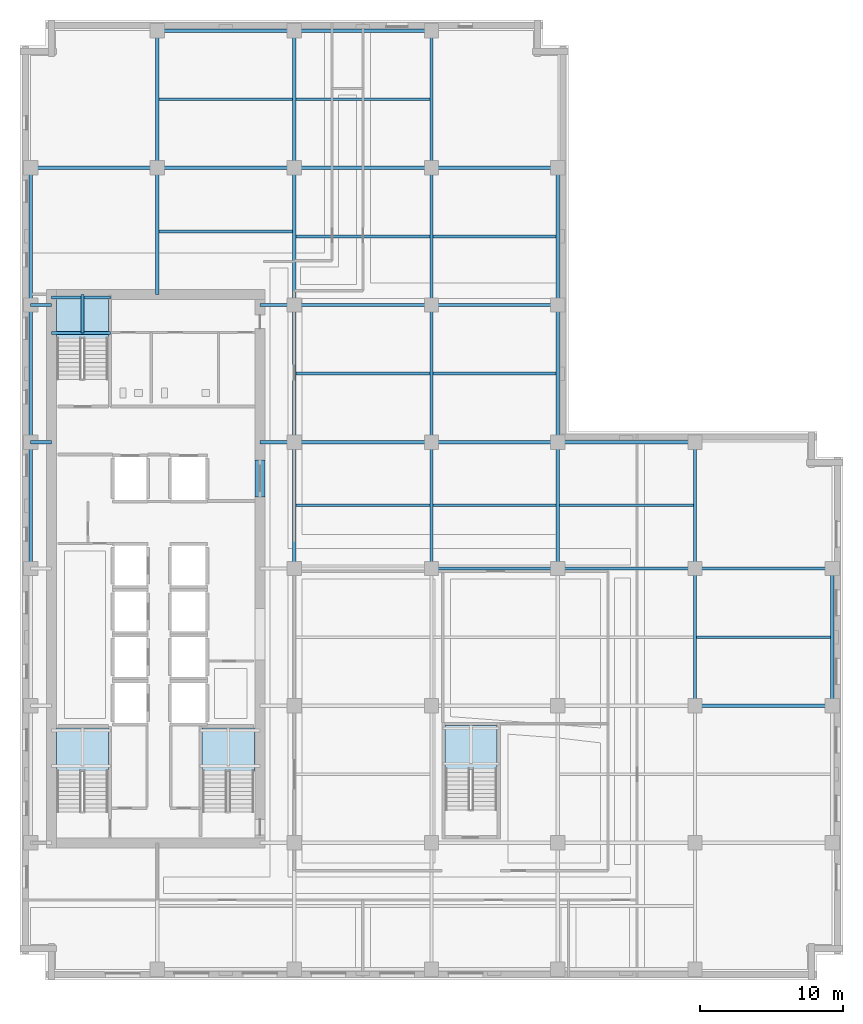
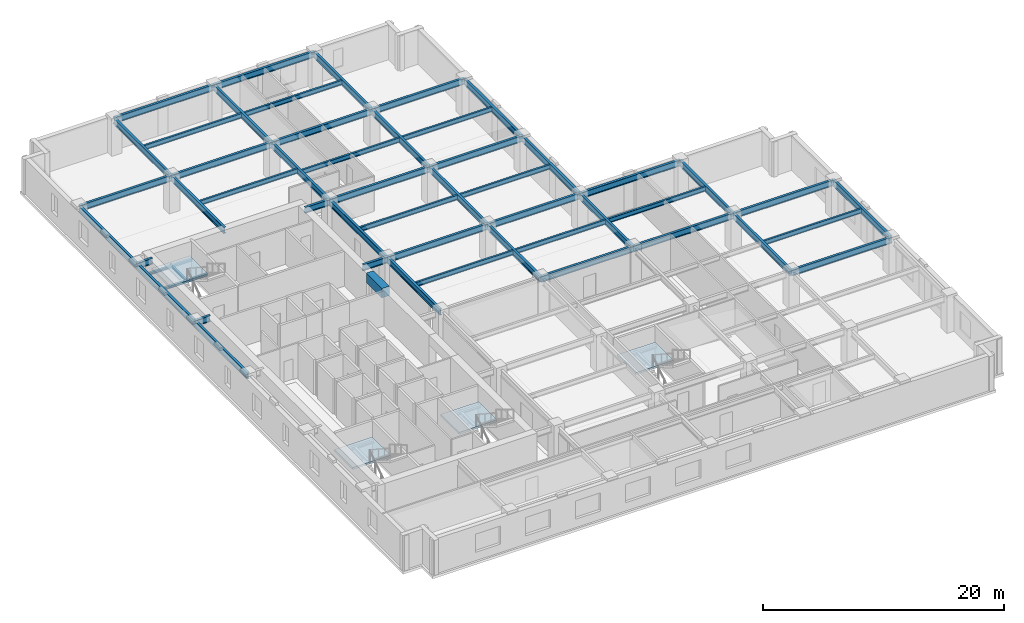
# One storey, part 2 of 13: 53 beams, 4 slabs, 4 elements without a shape of their own.
"""IFC4 building model written with IfcOpenShell, lengths in metres."""

from ifc_helpers import new_model, si_unit, direction, frame, origin, origin_2d, place, context, subcontext, project, spatial, polyline, rectangle, i_section, outline, extrude, material, layer, layer_set, material_profile, profile_set, type_object, element, aggregate, save


model = new_model("IFC4")

# Units and contexts
model_context = context("Model", 3, precision=1e-05, world=origin(), true_north=direction((0.0, 1.0)))
body_context = subcontext(model_context, "Body", "Model", "MODEL_VIEW")
ifc_project = project(units=[si_unit("LENGTHUNIT", "METRE"), si_unit("AREAUNIT", "SQUARE_METRE"), si_unit("VOLUMEUNIT", "CUBIC_METRE"), si_unit("PLANEANGLEUNIT", "RADIAN"), si_unit("MASSUNIT", "GRAM", prefix="KILO")], contexts=[model_context])

# Site, building, storey
site_placement = place(None, origin())
site = spatial("IfcSite", under=ifc_project, at=site_placement, CompositionType="ELEMENT")
building_placement = place(site_placement, origin())
building = spatial("IfcBuilding", under=site, at=building_placement, Name="Norrvale University Quadrangle", CompositionType="ELEMENT")
storey_placement = place(building_placement, frame((0.0, 0.0, 131.800048828125)))
storey = spatial("IfcBuildingStorey", under=building, at=storey_placement, Name="L33", CompositionType="ELEMENT", Elevation=131.800048828125)

# Beams
ifc_material_1 = material(Name="Concrete C80/95", Category="concrete")
ifc_material_profile_1 = material_profile(ifc_material_1, rectangle(XDim=0.699951171875, YDim=0.949951171875, at=origin_2d()), Name="Concrete C80/95")
ifc_profile_set_1 = profile_set([ifc_material_profile_1], Name="Concrete C80/95")
beam_type_1 = type_object("IfcBeamType", Name="Beam Core Link 700x950", PredefinedType="LINTEL", material=ifc_profile_set_1)
beam_1_placement = place(storey_placement, frame((16.800048828125, 33.800048828125, 3.06494140625), z_axis=(0.0, 1.0, 0.0), x_axis=(-1.0, 0.0, 0.0)))
element("IfcBeam", 1, at=beam_1_placement, inside=storey, type_object=beam_type_1, Name="Core Coupling Lintel Beam L33-2", PredefinedType="LINTEL", context=body_context, shape_type="SweptSolid", body=[
    extrude(rectangle(XDim=0.699951171875, YDim=0.949951171875, at=origin_2d()), origin(), (0.0, 0.0, 1.0), 2.599853515625),
])
ifc_material_2 = material(Name="Steel 350W", Category="steel")
ifc_material_profile_2 = material_profile(ifc_material_2, i_section(OverallWidth=0.18994140625, OverallDepth=0.45703125, WebThickness=0.009033203125, FlangeThickness=0.014404296875, FilletRadius=0.012939453125, at=origin_2d()), Name="Steel 350W")
ifc_profile_set_2 = profile_set([ifc_material_profile_2], Name="Steel 350W")
beam_type_2 = type_object("IfcBeamType", Name="Beam Floor W460x74", PredefinedType="JOIST", material=ifc_profile_set_2)
beam_2_placement = place(storey_placement, frame((9.715087890625, 61.64990234375, 3.3115234375), z_axis=(1.0, 0.0, 0.0), x_axis=(0.0, 1.0, 0.0)))
element("IfcBeam", 2, at=beam_2_placement, inside=storey, type_object=beam_type_2, Name="Beam Floor W460x74 BM-L33-J070", PredefinedType="JOIST", context=body_context, shape_type="SweptSolid", body=[
    extrude(i_section(OverallWidth=0.18994140625, OverallDepth=0.45703125, WebThickness=0.009033203125, FlangeThickness=0.014404296875, FilletRadius=0.012939453125, at=origin_2d()), origin(), (0.0, 0.0, 1.0), 9.369873046875),
])
for number, where, z_axis, x_axis, name in (
    (3, (19.31494140625, 33.22509765625, 3.3115234375), (1.0, 0.0, 0.0), (0.0, 1.0, 0.0), "Beam Floor W460x74 BM-L33-J074"),
    (4, (19.31494140625, 42.449951171875, 3.3115234375), (1.0, 0.0, 0.0), (0.0, 1.0, 0.0), "Beam Floor W460x74 BM-L33-J075"),
    (5, (19.31494140625, 52.050048828125, 3.3115234375), (1.0, 0.0, 0.0), (0.0, 1.0, 0.0), "Beam Floor W460x74 BM-L33-J076"),
    (6, (19.31494140625, 61.64990234375, 3.3115234375), (1.0, 0.0, 0.0), (0.0, 1.0, 0.0), "Beam Floor W460x74 BM-L33-J077"),
):
    element("IfcBeam", number, at=place(storey_placement, frame(where, z_axis=z_axis, x_axis=x_axis)), inside=storey, type_object=beam_type_2, Name=name, PredefinedType="JOIST", context=body_context, shape_type="SweptSolid", body=[
        extrude(i_section(OverallWidth=0.18994140625, OverallDepth=0.45703125, WebThickness=0.009033203125, FlangeThickness=0.014404296875, FilletRadius=0.012939453125, at=origin_2d()), origin(), (0.0, 0.0, 1.0), 9.3701171875),
    ])
for number, where, z_axis, x_axis, name in (
    (7, (28.9150390625, 33.22509765625, 3.3115234375), (1.0, 0.0, 0.0), (0.0, 1.0, 0.0), "Beam Floor W460x74 BM-L33-J080"),
    (8, (28.9150390625, 42.449951171875, 3.3115234375), (1.0, 0.0, 0.0), (0.0, 1.0, 0.0), "Beam Floor W460x74 BM-L33-J081"),
    (9, (28.9150390625, 52.050048828125, 3.3115234375), (1.0, 0.0, 0.0), (0.0, 1.0, 0.0), "Beam Floor W460x74 BM-L33-J082"),
):
    element("IfcBeam", number, at=place(storey_placement, frame(where, z_axis=z_axis, x_axis=x_axis)), inside=storey, type_object=beam_type_2, Name=name, PredefinedType="JOIST", context=body_context, shape_type="SweptSolid", body=[
        extrude(i_section(OverallWidth=0.18994140625, OverallDepth=0.45703125, WebThickness=0.009033203125, FlangeThickness=0.014404296875, FilletRadius=0.012939453125, at=origin_2d()), origin(), (0.0, 0.0, 1.0), 8.619873046875),
    ])
for number, where, z_axis, x_axis, name in (
    (10, (37.764892578125, 33.22509765625, 3.3115234375), (1.0, 0.0, 0.0), (0.0, 1.0, 0.0), "Beam Floor W460x74 BM-L33-J086"),
    (11, (47.364990234375, 24.0, 3.3115234375), (1.0, 0.0, 0.0), (0.0, 1.0, 0.0), "Beam Floor W460x74 BM-L33-J088"),
):
    element("IfcBeam", number, at=place(storey_placement, frame(where, z_axis=z_axis, x_axis=x_axis)), inside=storey, type_object=beam_type_2, Name=name, PredefinedType="JOIST", context=body_context, shape_type="SweptSolid", body=[
        extrude(i_section(OverallWidth=0.18994140625, OverallDepth=0.45703125, WebThickness=0.009033203125, FlangeThickness=0.014404296875, FilletRadius=0.012939453125, at=origin_2d()), origin(), (0.0, 0.0, 1.0), 9.3701171875),
    ])
beam_3_placement = place(storey_placement, frame((9.715087890625, 52.39990234375, 3.3115234375), z_axis=(1.0, 0.0, 0.0), x_axis=(0.0, 1.0, 0.0)))
element("IfcBeam", 12, at=beam_3_placement, inside=storey, type_object=beam_type_2, Name="Beam Floor W460x74 BM-L33-JCN092", PredefinedType="JOIST", context=body_context, shape_type="SweptSolid", body=[
    extrude(i_section(OverallWidth=0.18994140625, OverallDepth=0.45703125, WebThickness=0.009033203125, FlangeThickness=0.014404296875, FilletRadius=0.012939453125, at=origin_2d()), origin(), (0.0, 0.0, 1.0), 9.369873046875),
])
ifc_material_profile_3 = material_profile(ifc_material_2, i_section(OverallWidth=0.22998046875, OverallDepth=0.616943359375, WebThickness=0.01318359375, FlangeThickness=0.022216796875, FilletRadius=0.01611328125, at=origin_2d()), Name="Steel 350W")
ifc_profile_set_3 = profile_set([ifc_material_profile_3], Name="Steel 350W")
beam_type_3 = type_object("IfcBeamType", Name="Beam Floor W610x140", PredefinedType="BEAM", material=ifc_profile_set_3)
beam_4_placement = place(storey_placement, frame((47.25, 19.199951171875, 3.2314453125), z_axis=(1.0, 0.0, 0.0), x_axis=(0.0, 1.0, 0.0)))
element("IfcBeam", 13, at=beam_4_placement, inside=storey, type_object=beam_type_3, Name="Beam Floor W610x140 BM-L33-GX012", PredefinedType="BEAM", context=body_context, shape_type="SweptSolid", body=[
    extrude(i_section(OverallWidth=0.22998046875, OverallDepth=0.616943359375, WebThickness=0.01318359375, FlangeThickness=0.022216796875, FilletRadius=0.01611328125, at=origin_2d()), origin(), (0.0, 0.0, 1.0), 9.60009765625),
])
beam_5_placement = place(storey_placement, frame((28.800048828125, 28.800048828125, 3.2314453125), z_axis=(1.0, 0.0, 0.0), x_axis=(0.0, 1.0, 0.0)))
element("IfcBeam", 14, at=beam_5_placement, inside=storey, type_object=beam_type_3, Name="Beam Floor W610x140 BM-L33-GX014", PredefinedType="BEAM", context=body_context, shape_type="SweptSolid", body=[
    extrude(i_section(OverallWidth=0.22998046875, OverallDepth=0.616943359375, WebThickness=0.01318359375, FlangeThickness=0.022216796875, FilletRadius=0.01611328125, at=origin_2d()), origin(), (0.0, 0.0, 1.0), 8.849853515625),
])
for number, where, z_axis, x_axis, name in (
    (15, (37.64990234375, 28.800048828125, 3.2314453125), (1.0, 0.0, 0.0), (0.0, 1.0, 0.0), "Beam Floor W610x140 BM-L33-GX015"),
    (16, (47.25, 28.800048828125, 3.2314453125), (1.0, 0.0, 0.0), (0.0, 1.0, 0.0), "Beam Floor W610x140 BM-L33-GX016"),
    (17, (19.199951171875, 37.64990234375, 3.2314453125), (1.0, 0.0, 0.0), (0.0, 1.0, 0.0), "Beam Floor W610x140 BM-L33-GX017"),
):
    element("IfcBeam", number, at=place(storey_placement, frame(where, z_axis=z_axis, x_axis=x_axis)), inside=storey, type_object=beam_type_3, Name=name, PredefinedType="BEAM", context=body_context, shape_type="SweptSolid", body=[
        extrude(i_section(OverallWidth=0.22998046875, OverallDepth=0.616943359375, WebThickness=0.01318359375, FlangeThickness=0.022216796875, FilletRadius=0.01611328125, at=origin_2d()), origin(), (0.0, 0.0, 1.0), 9.60009765625),
    ])
beam_6_placement = place(storey_placement, frame((28.800048828125, 37.64990234375, 3.2314453125), z_axis=(1.0, 0.0, 0.0), x_axis=(0.0, 1.0, 0.0)))
element("IfcBeam", 18, at=beam_6_placement, inside=storey, type_object=beam_type_3, Name="Beam Floor W610x140 BM-L33-GX018", PredefinedType="BEAM", context=body_context, shape_type="SweptSolid", body=[
    extrude(i_section(OverallWidth=0.22998046875, OverallDepth=0.616943359375, WebThickness=0.01318359375, FlangeThickness=0.022216796875, FilletRadius=0.01611328125, at=origin_2d()), origin(), (0.0, 0.0, 1.0), 8.849853515625),
])
for number, where, z_axis, x_axis, name in (
    (19, (37.64990234375, 37.64990234375, 3.2314453125), (1.0, 0.0, 0.0), (0.0, 1.0, 0.0), "Beam Floor W610x140 BM-L33-GX019"),
    (20, (19.199951171875, 47.25, 3.2314453125), (1.0, 0.0, 0.0), (0.0, 1.0, 0.0), "Beam Floor W610x140 BM-L33-GX020"),
):
    element("IfcBeam", number, at=place(storey_placement, frame(where, z_axis=z_axis, x_axis=x_axis)), inside=storey, type_object=beam_type_3, Name=name, PredefinedType="BEAM", context=body_context, shape_type="SweptSolid", body=[
        extrude(i_section(OverallWidth=0.22998046875, OverallDepth=0.616943359375, WebThickness=0.01318359375, FlangeThickness=0.022216796875, FilletRadius=0.01611328125, at=origin_2d()), origin(), (0.0, 0.0, 1.0), 9.60009765625),
    ])
beam_7_placement = place(storey_placement, frame((28.800048828125, 47.25, 3.2314453125), z_axis=(1.0, 0.0, 0.0), x_axis=(0.0, 1.0, 0.0)))
element("IfcBeam", 21, at=beam_7_placement, inside=storey, type_object=beam_type_3, Name="Beam Floor W610x140 BM-L33-GX021", PredefinedType="BEAM", context=body_context, shape_type="SweptSolid", body=[
    extrude(i_section(OverallWidth=0.22998046875, OverallDepth=0.616943359375, WebThickness=0.01318359375, FlangeThickness=0.022216796875, FilletRadius=0.01611328125, at=origin_2d()), origin(), (0.0, 0.0, 1.0), 8.849853515625),
])
beam_8_placement = place(storey_placement, frame((0.75, 56.85009765625, 3.2314453125), z_axis=(1.0, 0.0, 0.0), x_axis=(0.0, 1.0, 0.0)))
element("IfcBeam", 22, at=beam_8_placement, inside=storey, type_object=beam_type_3, Name="Beam Floor W610x140 BM-L33-GX022", PredefinedType="BEAM", context=body_context, shape_type="SweptSolid", body=[
    extrude(i_section(OverallWidth=0.22998046875, OverallDepth=0.616943359375, WebThickness=0.01318359375, FlangeThickness=0.022216796875, FilletRadius=0.01611328125, at=origin_2d()), origin(), (0.0, 0.0, 1.0), 8.85009765625),
])
beam_9_placement = place(storey_placement, frame((9.60009765625, 56.85009765625, 3.2314453125), z_axis=(1.0, 0.0, 0.0), x_axis=(0.0, 1.0, 0.0)))
element("IfcBeam", 23, at=beam_9_placement, inside=storey, type_object=beam_type_3, Name="Beam Floor W610x140 BM-L33-GX023", PredefinedType="BEAM", context=body_context, shape_type="SweptSolid", body=[
    extrude(i_section(OverallWidth=0.22998046875, OverallDepth=0.616943359375, WebThickness=0.01318359375, FlangeThickness=0.022216796875, FilletRadius=0.01611328125, at=origin_2d()), origin(), (0.0, 0.0, 1.0), 9.599853515625),
])
beam_10_placement = place(storey_placement, frame((19.199951171875, 56.85009765625, 3.2314453125), z_axis=(1.0, 0.0, 0.0), x_axis=(0.0, 1.0, 0.0)))
element("IfcBeam", 24, at=beam_10_placement, inside=storey, type_object=beam_type_3, Name="Beam Floor W610x140 BM-L33-GX024", PredefinedType="BEAM", context=body_context, shape_type="SweptSolid", body=[
    extrude(i_section(OverallWidth=0.22998046875, OverallDepth=0.616943359375, WebThickness=0.01318359375, FlangeThickness=0.022216796875, FilletRadius=0.01611328125, at=origin_2d()), origin(), (0.0, 0.0, 1.0), 9.60009765625),
])
beam_11_placement = place(storey_placement, frame((28.800048828125, 56.85009765625, 3.2314453125), z_axis=(1.0, 0.0, 0.0), x_axis=(0.0, 1.0, 0.0)))
element("IfcBeam", 25, at=beam_11_placement, inside=storey, type_object=beam_type_3, Name="Beam Floor W610x140 BM-L33-GX025", PredefinedType="BEAM", context=body_context, shape_type="SweptSolid", body=[
    extrude(i_section(OverallWidth=0.22998046875, OverallDepth=0.616943359375, WebThickness=0.01318359375, FlangeThickness=0.022216796875, FilletRadius=0.01611328125, at=origin_2d()), origin(), (0.0, 0.0, 1.0), 8.849853515625),
])
beam_12_placement = place(storey_placement, frame((9.60009765625, 66.449951171875, 3.2314453125), z_axis=(1.0, 0.0, 0.0), x_axis=(0.0, 1.0, 0.0)))
element("IfcBeam", 26, at=beam_12_placement, inside=storey, type_object=beam_type_3, Name="Beam Floor W610x140 BM-L33-GX026", PredefinedType="BEAM", context=body_context, shape_type="SweptSolid", body=[
    extrude(i_section(OverallWidth=0.22998046875, OverallDepth=0.616943359375, WebThickness=0.01318359375, FlangeThickness=0.022216796875, FilletRadius=0.01611328125, at=origin_2d()), origin(), (0.0, 0.0, 1.0), 9.599853515625),
])
beam_13_placement = place(storey_placement, frame((19.199951171875, 66.449951171875, 3.2314453125), z_axis=(1.0, 0.0, 0.0), x_axis=(0.0, 1.0, 0.0)))
element("IfcBeam", 27, at=beam_13_placement, inside=storey, type_object=beam_type_3, Name="Beam Floor W610x140 BM-L33-GX027", PredefinedType="BEAM", context=body_context, shape_type="SweptSolid", body=[
    extrude(i_section(OverallWidth=0.22998046875, OverallDepth=0.616943359375, WebThickness=0.01318359375, FlangeThickness=0.022216796875, FilletRadius=0.01611328125, at=origin_2d()), origin(), (0.0, 0.0, 1.0), 9.60009765625),
])
beam_14_placement = place(storey_placement, frame((0.75, 28.800048828125, 3.2314453125), z_axis=(0.0, 1.0, 0.0), x_axis=(-1.0, 0.0, 0.0)))
element("IfcBeam", 28, at=beam_14_placement, inside=storey, type_object=beam_type_3, Name="Beam Floor W610x140 BM-L33-GY030", PredefinedType="BEAM", context=body_context, shape_type="SweptSolid", body=[
    extrude(i_section(OverallWidth=0.22998046875, OverallDepth=0.616943359375, WebThickness=0.01318359375, FlangeThickness=0.022216796875, FilletRadius=0.01611328125, at=origin_2d()), origin(), (0.0, 0.0, 1.0), 8.849853515625),
])
for number, where, z_axis, x_axis, name in (
    (29, (0.75, 37.64990234375, 3.2314453125), (0.0, 1.0, 0.0), (-1.0, 0.0, 0.0), "Beam Floor W610x140 BM-L33-GY031"),
    (30, (0.75, 47.25, 3.2314453125), (0.0, 1.0, 0.0), (-1.0, 0.0, 0.0), "Beam Floor W610x140 BM-L33-GY032"),
):
    element("IfcBeam", number, at=place(storey_placement, frame(where, z_axis=z_axis, x_axis=x_axis)), inside=storey, type_object=beam_type_3, Name=name, PredefinedType="BEAM", context=body_context, shape_type="SweptSolid", body=[
        extrude(i_section(OverallWidth=0.22998046875, OverallDepth=0.616943359375, WebThickness=0.01318359375, FlangeThickness=0.022216796875, FilletRadius=0.01611328125, at=origin_2d()), origin(), (0.0, 0.0, 1.0), 9.60009765625),
    ])
beam_15_placement = place(storey_placement, frame((9.60009765625, 56.85009765625, 3.2314453125), z_axis=(0.0, 1.0, 0.0), x_axis=(-1.0, 0.0, 0.0)))
element("IfcBeam", 31, at=beam_15_placement, inside=storey, type_object=beam_type_3, Name="Beam Floor W610x140 BM-L33-GY033", PredefinedType="BEAM", context=body_context, shape_type="SweptSolid", body=[
    extrude(i_section(OverallWidth=0.22998046875, OverallDepth=0.616943359375, WebThickness=0.01318359375, FlangeThickness=0.022216796875, FilletRadius=0.01611328125, at=origin_2d()), origin(), (0.0, 0.0, 1.0), 9.599853515625),
])
beam_16_placement = place(storey_placement, frame((19.199951171875, 28.800048828125, 3.2314453125), z_axis=(0.0, 1.0, 0.0), x_axis=(-1.0, 0.0, 0.0)))
element("IfcBeam", 32, at=beam_16_placement, inside=storey, type_object=beam_type_3, Name="Beam Floor W610x140 BM-L33-GY037", PredefinedType="BEAM", context=body_context, shape_type="SweptSolid", body=[
    extrude(i_section(OverallWidth=0.22998046875, OverallDepth=0.616943359375, WebThickness=0.01318359375, FlangeThickness=0.022216796875, FilletRadius=0.01611328125, at=origin_2d()), origin(), (0.0, 0.0, 1.0), 8.849853515625),
])
for number, where, z_axis, x_axis, name in (
    (33, (19.199951171875, 37.64990234375, 3.2314453125), (0.0, 1.0, 0.0), (-1.0, 0.0, 0.0), "Beam Floor W610x140 BM-L33-GY038"),
    (34, (19.199951171875, 47.25, 3.2314453125), (0.0, 1.0, 0.0), (-1.0, 0.0, 0.0), "Beam Floor W610x140 BM-L33-GY039"),
):
    element("IfcBeam", number, at=place(storey_placement, frame(where, z_axis=z_axis, x_axis=x_axis)), inside=storey, type_object=beam_type_3, Name=name, PredefinedType="BEAM", context=body_context, shape_type="SweptSolid", body=[
        extrude(i_section(OverallWidth=0.22998046875, OverallDepth=0.616943359375, WebThickness=0.01318359375, FlangeThickness=0.022216796875, FilletRadius=0.01611328125, at=origin_2d()), origin(), (0.0, 0.0, 1.0), 9.60009765625),
    ])
beam_17_placement = place(storey_placement, frame((19.199951171875, 56.85009765625, 3.2314453125), z_axis=(0.0, 1.0, 0.0), x_axis=(-1.0, 0.0, 0.0)))
element("IfcBeam", 35, at=beam_17_placement, inside=storey, type_object=beam_type_3, Name="Beam Floor W610x140 BM-L33-GY040", PredefinedType="BEAM", context=body_context, shape_type="SweptSolid", body=[
    extrude(i_section(OverallWidth=0.22998046875, OverallDepth=0.616943359375, WebThickness=0.01318359375, FlangeThickness=0.022216796875, FilletRadius=0.01611328125, at=origin_2d()), origin(), (0.0, 0.0, 1.0), 9.599853515625),
])
beam_18_placement = place(storey_placement, frame((28.800048828125, 28.800048828125, 3.2314453125), z_axis=(0.0, 1.0, 0.0), x_axis=(-1.0, 0.0, 0.0)))
element("IfcBeam", 36, at=beam_18_placement, inside=storey, type_object=beam_type_3, Name="Beam Floor W610x140 BM-L33-GY044", PredefinedType="BEAM", context=body_context, shape_type="SweptSolid", body=[
    extrude(i_section(OverallWidth=0.22998046875, OverallDepth=0.616943359375, WebThickness=0.01318359375, FlangeThickness=0.022216796875, FilletRadius=0.01611328125, at=origin_2d()), origin(), (0.0, 0.0, 1.0), 8.849853515625),
])
for number, where, z_axis, x_axis, name in (
    (37, (28.800048828125, 37.64990234375, 3.2314453125), (0.0, 1.0, 0.0), (-1.0, 0.0, 0.0), "Beam Floor W610x140 BM-L33-GY045"),
    (38, (28.800048828125, 47.25, 3.2314453125), (0.0, 1.0, 0.0), (-1.0, 0.0, 0.0), "Beam Floor W610x140 BM-L33-GY046"),
):
    element("IfcBeam", number, at=place(storey_placement, frame(where, z_axis=z_axis, x_axis=x_axis)), inside=storey, type_object=beam_type_3, Name=name, PredefinedType="BEAM", context=body_context, shape_type="SweptSolid", body=[
        extrude(i_section(OverallWidth=0.22998046875, OverallDepth=0.616943359375, WebThickness=0.01318359375, FlangeThickness=0.022216796875, FilletRadius=0.01611328125, at=origin_2d()), origin(), (0.0, 0.0, 1.0), 9.60009765625),
    ])
beam_19_placement = place(storey_placement, frame((28.800048828125, 56.85009765625, 3.2314453125), z_axis=(0.0, 1.0, 0.0), x_axis=(-1.0, 0.0, 0.0)))
element("IfcBeam", 39, at=beam_19_placement, inside=storey, type_object=beam_type_3, Name="Beam Floor W610x140 BM-L33-GY047", PredefinedType="BEAM", context=body_context, shape_type="SweptSolid", body=[
    extrude(i_section(OverallWidth=0.22998046875, OverallDepth=0.616943359375, WebThickness=0.01318359375, FlangeThickness=0.022216796875, FilletRadius=0.01611328125, at=origin_2d()), origin(), (0.0, 0.0, 1.0), 9.599853515625),
])
beam_20_placement = place(storey_placement, frame((37.64990234375, 28.800048828125, 3.2314453125), z_axis=(0.0, 1.0, 0.0), x_axis=(-1.0, 0.0, 0.0)))
element("IfcBeam", 40, at=beam_20_placement, inside=storey, type_object=beam_type_3, Name="Beam Floor W610x140 BM-L33-GY051", PredefinedType="BEAM", context=body_context, shape_type="SweptSolid", body=[
    extrude(i_section(OverallWidth=0.22998046875, OverallDepth=0.616943359375, WebThickness=0.01318359375, FlangeThickness=0.022216796875, FilletRadius=0.01611328125, at=origin_2d()), origin(), (0.0, 0.0, 1.0), 8.849853515625),
])
for number, where, z_axis, x_axis, name in (
    (41, (37.64990234375, 37.64990234375, 3.2314453125), (0.0, 1.0, 0.0), (-1.0, 0.0, 0.0), "Beam Floor W610x140 BM-L33-GY052"),
    (42, (37.64990234375, 47.25, 3.2314453125), (0.0, 1.0, 0.0), (-1.0, 0.0, 0.0), "Beam Floor W610x140 BM-L33-GY053"),
    (43, (47.25, 19.199951171875, 3.2314453125), (0.0, 1.0, 0.0), (-1.0, 0.0, 0.0), "Beam Floor W610x140 BM-L33-GY056"),
):
    element("IfcBeam", number, at=place(storey_placement, frame(where, z_axis=z_axis, x_axis=x_axis)), inside=storey, type_object=beam_type_3, Name=name, PredefinedType="BEAM", context=body_context, shape_type="SweptSolid", body=[
        extrude(i_section(OverallWidth=0.22998046875, OverallDepth=0.616943359375, WebThickness=0.01318359375, FlangeThickness=0.022216796875, FilletRadius=0.01611328125, at=origin_2d()), origin(), (0.0, 0.0, 1.0), 9.60009765625),
    ])
beam_21_placement = place(storey_placement, frame((47.25, 28.800048828125, 3.2314453125), z_axis=(0.0, 1.0, 0.0), x_axis=(-1.0, 0.0, 0.0)))
element("IfcBeam", 44, at=beam_21_placement, inside=storey, type_object=beam_type_3, Name="Beam Floor W610x140 BM-L33-GY057", PredefinedType="BEAM", context=body_context, shape_type="SweptSolid", body=[
    extrude(i_section(OverallWidth=0.22998046875, OverallDepth=0.616943359375, WebThickness=0.01318359375, FlangeThickness=0.022216796875, FilletRadius=0.01611328125, at=origin_2d()), origin(), (0.0, 0.0, 1.0), 8.849853515625),
])
beam_22_placement = place(storey_placement, frame((56.85009765625, 19.199951171875, 3.2314453125), z_axis=(0.0, 1.0, 0.0), x_axis=(-1.0, 0.0, 0.0)))
element("IfcBeam", 45, at=beam_22_placement, inside=storey, type_object=beam_type_3, Name="Beam Floor W610x140 BM-L33-GY059", PredefinedType="BEAM", context=body_context, shape_type="SweptSolid", body=[
    extrude(i_section(OverallWidth=0.22998046875, OverallDepth=0.616943359375, WebThickness=0.01318359375, FlangeThickness=0.022216796875, FilletRadius=0.01611328125, at=origin_2d()), origin(), (0.0, 0.0, 1.0), 9.60009765625),
])
beam_23_placement = place(storey_placement, frame((0.75, 37.64990234375, 3.2314453125), z_axis=(1.0, 0.0, 0.0), x_axis=(0.0, 1.0, 0.0)))
element("IfcBeam", 46, at=beam_23_placement, inside=storey, type_object=beam_type_3, Name="Beam Floor W610x140 BM-L33-GCW066", PredefinedType="BEAM", context=body_context, shape_type="SweptSolid", body=[
    extrude(i_section(OverallWidth=0.22998046875, OverallDepth=0.616943359375, WebThickness=0.01318359375, FlangeThickness=0.022216796875, FilletRadius=0.01611328125, at=origin_2d()), origin(), (0.0, 0.0, 1.0), 1.449951171875),
])
beam_24_placement = place(storey_placement, frame((16.800048828125, 37.64990234375, 3.2314453125), z_axis=(1.0, 0.0, 0.0), x_axis=(0.0, 1.0, 0.0)))
element("IfcBeam", 47, at=beam_24_placement, inside=storey, type_object=beam_type_3, Name="Beam Floor W610x140 BM-L33-GCE067", PredefinedType="BEAM", context=body_context, shape_type="SweptSolid", body=[
    extrude(i_section(OverallWidth=0.22998046875, OverallDepth=0.616943359375, WebThickness=0.01318359375, FlangeThickness=0.022216796875, FilletRadius=0.01611328125, at=origin_2d()), origin(), (0.0, 0.0, 1.0), 2.39990234375),
])
beam_25_placement = place(storey_placement, frame((0.75, 47.25, 3.2314453125), z_axis=(1.0, 0.0, 0.0), x_axis=(0.0, 1.0, 0.0)))
element("IfcBeam", 48, at=beam_25_placement, inside=storey, type_object=beam_type_3, Name="Beam Floor W610x140 BM-L33-GCW068", PredefinedType="BEAM", context=body_context, shape_type="SweptSolid", body=[
    extrude(i_section(OverallWidth=0.22998046875, OverallDepth=0.616943359375, WebThickness=0.01318359375, FlangeThickness=0.022216796875, FilletRadius=0.01611328125, at=origin_2d()), origin(), (0.0, 0.0, 1.0), 1.449951171875),
])
beam_26_placement = place(storey_placement, frame((16.800048828125, 47.25, 3.2314453125), z_axis=(1.0, 0.0, 0.0), x_axis=(0.0, 1.0, 0.0)))
element("IfcBeam", 49, at=beam_26_placement, inside=storey, type_object=beam_type_3, Name="Beam Floor W610x140 BM-L33-GCE069", PredefinedType="BEAM", context=body_context, shape_type="SweptSolid", body=[
    extrude(i_section(OverallWidth=0.22998046875, OverallDepth=0.616943359375, WebThickness=0.01318359375, FlangeThickness=0.022216796875, FilletRadius=0.01611328125, at=origin_2d()), origin(), (0.0, 0.0, 1.0), 2.39990234375),
])
beam_27_placement = place(storey_placement, frame((9.60009765625, 48.0, 3.2314453125), z_axis=(0.0, 1.0, 0.0), x_axis=(-1.0, 0.0, 0.0)))
element("IfcBeam", 50, at=beam_27_placement, inside=storey, type_object=beam_type_3, Name="Beam Floor W610x140 BM-L33-GCN091", PredefinedType="BEAM", context=body_context, shape_type="SweptSolid", body=[
    extrude(i_section(OverallWidth=0.22998046875, OverallDepth=0.616943359375, WebThickness=0.01318359375, FlangeThickness=0.022216796875, FilletRadius=0.01611328125, at=origin_2d()), origin(), (0.0, 0.0, 1.0), 8.85009765625),
])
ifc_material_profile_4 = material_profile(ifc_material_2, i_section(OverallWidth=0.201904296875, OverallDepth=0.2470703125, WebThickness=0.00732421875, FlangeThickness=0.010986328125, FilletRadius=0.011962890625, at=origin_2d()), Name="Steel 350W")
ifc_profile_set_4 = profile_set([ifc_material_profile_4], Name="Steel 350W")
beam_type_4 = type_object("IfcBeamType", Name="Beam Stair W250x49", PredefinedType="BEAM", material=ifc_profile_set_4)
for number, where, z_axis, x_axis, name in (
    (51, (2.199951171875, 45.2900390625, 1.576416015625), (1.0, 0.0, 0.0), (0.0, 1.0, 0.0), "Stair Mid-Landing Front Beam ST-02 L33"),
    (52, (2.199951171875, 47.77001953125, 1.576416015625), (1.0, 0.0, 0.0), (0.0, 1.0, 0.0), "Stair Mid-Landing Rear Beam ST-02 L33"),
):
    element("IfcBeam", number, at=place(storey_placement, frame(where, z_axis=z_axis, x_axis=x_axis)), inside=storey, type_object=beam_type_4, Name=name, PredefinedType="BEAM", context=body_context, shape_type="SweptSolid", body=[
        extrude(i_section(OverallWidth=0.201904296875, OverallDepth=0.2470703125, WebThickness=0.00732421875, FlangeThickness=0.010986328125, FilletRadius=0.011962890625, at=origin_2d()), origin(), (0.0, 0.0, 1.0), 4.14013671875),
    ])
ifc_material_profile_5 = material_profile(ifc_material_2, i_section(OverallWidth=0.202880859375, OverallDepth=0.202880859375, WebThickness=0.007080078125, FlangeThickness=0.010986328125, FilletRadius=0.010009765625, at=origin_2d()), Name="Steel 350W")
ifc_profile_set_5 = profile_set([ifc_material_profile_5], Name="Steel 350W")
beam_type_5 = type_object("IfcBeamType", Name="Beam Trim W200x46", PredefinedType="BEAM", material=ifc_profile_set_5)
beam_28_placement = place(storey_placement, frame((4.375, 45.2900390625, 1.598388671875), z_axis=(0.0, 1.0, 0.0), x_axis=(-1.0, 0.0, 0.0)))
element("IfcBeam", 53, at=beam_28_placement, inside=storey, type_object=beam_type_5, Name="Stair Mid-Landing Cross Beam ST-02 L33", PredefinedType="BEAM", context=body_context, shape_type="SweptSolid", body=[
    extrude(i_section(OverallWidth=0.202880859375, OverallDepth=0.202880859375, WebThickness=0.007080078125, FlangeThickness=0.010986328125, FilletRadius=0.010009765625, at=origin_2d()), origin(), (0.0, 0.0, 1.0), 2.7099609375),
])

# Stair, slab
ifc_material_3 = material(Name="Concrete C40/50", Category="concrete")
stair_type = type_object("IfcStairType", Name="Stair Tower Typ 3800", PredefinedType="TWO_STRAIGHT_RUN_STAIR", material=ifc_material_3)
stair_1_placement = place(storey_placement, origin())
stair_1 = element("IfcStair", 54, at=stair_1_placement, inside=storey, type_object=stair_type, Name="Exit Stair ST-01 L33", PredefinedType="TWO_STRAIGHT_RUN_STAIR")
ifc_layer = layer(ifc_material_3, 0.199951171875, Name="Concrete C40/50")
ifc_layer_set = layer_set([ifc_layer], Name="Concrete C40/50")
slab_type = type_object("IfcSlabType", Name="Slab Landing 200", PredefinedType="LANDING", material=ifc_layer_set)
slab_1_placement = place(storey_placement, frame((0.0, 0.0, 1.699951171875)))
slab_1 = element("IfcSlab", 55, at=slab_1_placement, type_object=slab_type, Name="Exit Stair ST-01 L33 Mid Landing", PredefinedType="LANDING", context=body_context, shape_type="SweptSolid", body=[
    extrude(outline(polyline([(2.550048828125, 14.590087890625), (6.199951171875, 14.590087890625), (6.199951171875, 17.64990234375), (2.550048828125, 17.64990234375), (2.550048828125, 14.590087890625)])), origin(), (0.0, 0.0, 1.0), 0.199951171875),
])
aggregate(stair_1, [slab_1])

stair_2_placement = place(storey_placement, origin())
stair_2 = element("IfcStair", 56, at=stair_2_placement, inside=storey, type_object=stair_type, Name="Exit Stair ST-02 L33", PredefinedType="TWO_STRAIGHT_RUN_STAIR")
slab_2_placement = place(storey_placement, frame((0.0, 0.0, 1.699951171875)))
slab_2 = element("IfcSlab", 57, at=slab_2_placement, type_object=slab_type, Name="Exit Stair ST-02 L33 Mid Landing", PredefinedType="LANDING", context=body_context, shape_type="SweptSolid", body=[
    extrude(outline(polyline([(2.550048828125, 44.889892578125), (6.199951171875, 44.889892578125), (6.199951171875, 47.949951171875), (2.550048828125, 47.949951171875), (2.550048828125, 44.889892578125)])), origin(), (0.0, 0.0, 1.0), 0.199951171875),
])
aggregate(stair_2, [slab_2])

stair_3_placement = place(storey_placement, origin())
stair_3 = element("IfcStair", 58, at=stair_3_placement, inside=storey, type_object=stair_type, Name="Exit Stair ST-03 L33", PredefinedType="TWO_STRAIGHT_RUN_STAIR")
slab_3_placement = place(storey_placement, frame((0.0, 0.0, 1.699951171875)))
slab_3 = element("IfcSlab", 59, at=slab_3_placement, type_object=slab_type, Name="Exit Stair ST-03 L33 Mid Landing", PredefinedType="LANDING", context=body_context, shape_type="SweptSolid", body=[
    extrude(outline(polyline([(12.75, 14.590087890625), (16.39990234375, 14.590087890625), (16.39990234375, 17.64990234375), (12.75, 17.64990234375), (12.75, 14.590087890625)])), origin(), (0.0, 0.0, 1.0), 0.199951171875),
])
aggregate(stair_3, [slab_3])

stair_4_placement = place(storey_placement, origin())
stair_4 = element("IfcStair", 60, at=stair_4_placement, inside=storey, type_object=stair_type, Name="Exit Stair ST-04 L33", PredefinedType="TWO_STRAIGHT_RUN_STAIR")
slab_4_placement = place(storey_placement, frame((0.0, 0.0, 1.699951171875)))
slab_4 = element("IfcSlab", 61, at=slab_4_placement, type_object=slab_type, Name="Exit Stair ST-04 L33 Mid Landing", PredefinedType="LANDING", context=body_context, shape_type="SweptSolid", body=[
    extrude(outline(polyline([(29.75, 14.739990234375), (33.39990234375, 14.739990234375), (33.39990234375, 17.800048828125), (29.75, 17.800048828125), (29.75, 14.739990234375)])), origin(), (0.0, 0.0, 1.0), 0.199951171875),
])
aggregate(stair_4, [slab_4])

save(model, "model.ifc")
